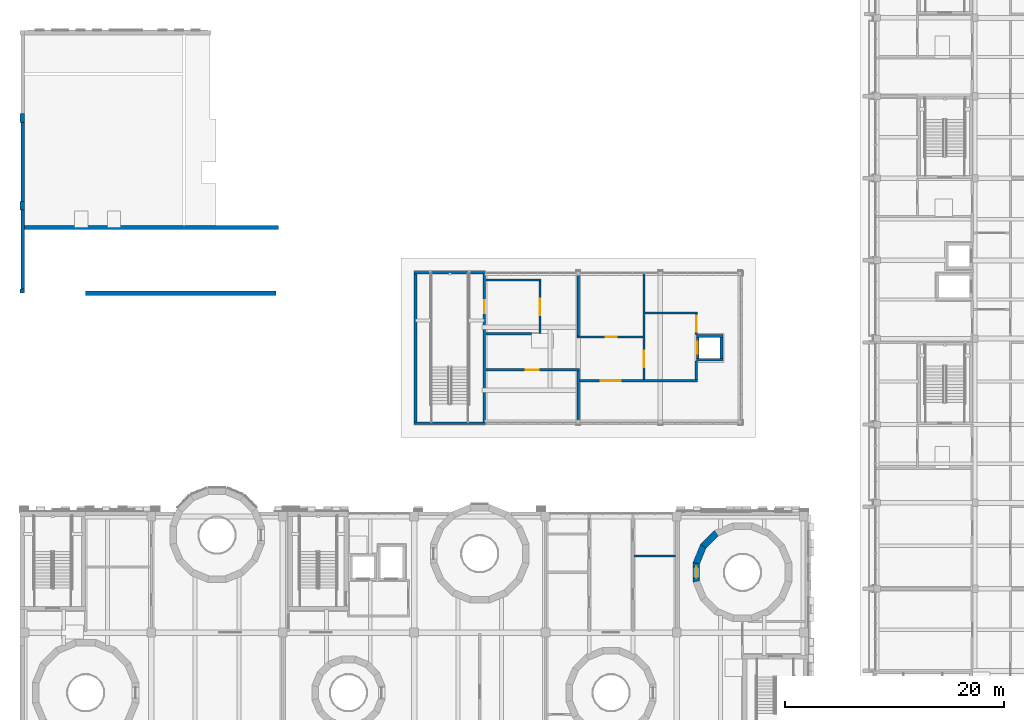
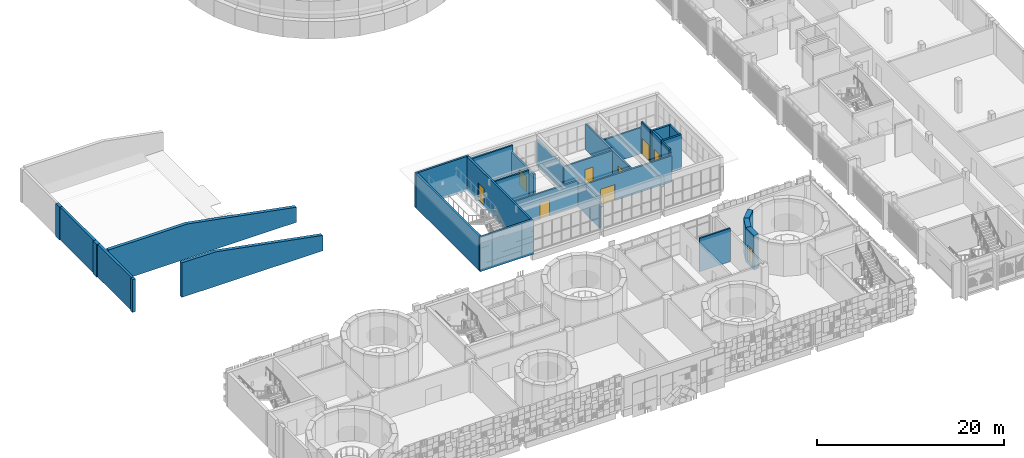
# One storey, part 49 of 92: 31 walls, 9 doors, 9 openings.
"""IFC4 building model written with IfcOpenShell, lengths in metres."""

from ifc_helpers import new_model, si_unit, direction, frame, frame_2d, origin, place, context, subcontext, project, spatial, polyline, rectangle, outline, extrude, material, layer, layer_set, type_object, element, fill, save


model = new_model("IFC4")

# Units and contexts
model_context = context("Model", 3, precision=1e-05, world=origin(), true_north=direction((0.0, 1.0)))
body_context = subcontext(model_context, "Body", "Model", "MODEL_VIEW")
ifc_project = project(units=[si_unit("LENGTHUNIT", "METRE"), si_unit("AREAUNIT", "SQUARE_METRE"), si_unit("VOLUMEUNIT", "CUBIC_METRE"), si_unit("PLANEANGLEUNIT", "RADIAN"), si_unit("MASSUNIT", "GRAM", prefix="KILO")], contexts=[model_context])

# Site, building, storey
site_placement = place(None, origin())
site = spatial("IfcSite", under=ifc_project, at=site_placement, CompositionType="ELEMENT")
building_placement = place(site_placement, origin())
building = spatial("IfcBuilding", under=site, at=building_placement, Name="Sun Court Science Centre", CompositionType="ELEMENT")
storey_placement = place(building_placement, frame((0.0, 0.0, 11.25)))
storey = spatial("IfcBuildingStorey", under=building, at=storey_placement, Name="L02", CompositionType="ELEMENT", Elevation=11.25)

# Wall, opening, door
ifc_material_1 = material(Name="Concrete block", Category="concrete")
ifc_layer_1 = layer(ifc_material_1, 0.199951171875)
ifc_layer_set_1 = layer_set([ifc_layer_1], Name="Concrete block")
wall_type_1 = type_object("IfcWallType", Name="Partition 200 block EI60", PredefinedType="PARTITIONING", material=ifc_layer_set_1)
wall_1_placement = place(storey_placement, frame((51.10009765625, 40.0, 0.0), z_axis=(0.0, 0.0, 1.0), x_axis=(1.0, 0.0, 0.0)))
wall_1 = element("IfcWall", 1, at=wall_1_placement, inside=storey, type_object=wall_type_1, Name="L02 partition 001", PredefinedType="PARTITIONING", context=body_context, shape_type="SweptSolid", body=[
    extrude(rectangle(XDim=10.789794921875, YDim=0.199951171875, at=frame_2d((5.39501953125, 0.0))), origin(), (0.0, 0.0, 1.0), 3.39990234375),
])
opening_1_placement = place(wall_1_placement, frame((1.97509765625, 0.0, 0.0)))
opening_1 = element("IfcOpeningElement", 2, at=opening_1_placement, cuts=wall_1, Name="Opening D-L02-063", PredefinedType="OPENING", context=body_context, shape_type="SweptSolid", body=[
    extrude(rectangle(XDim=1.800048828125, YDim=2.10009765625, at=frame_2d((0.89990234375, 1.050048828125))), frame((0.0, 0.10986328125, 0.0), z_axis=(0.0, -1.0, 0.0), x_axis=(1.0, 0.0, 0.0)), (0.0, 0.0, 1.0), 0.219970703125),
])
ifc_material_2 = material(Name="Timber", Category="wood")
door_type_1 = type_object("IfcDoorType", Name="Door 1800x2100 double leaf", OperationType="DOUBLE_DOOR_SINGLE_SWING", PredefinedType="DOOR", material=ifc_material_2)
door_1_placement = place(opening_1_placement, origin())
door_1 = element("IfcDoor", 3, at=door_1_placement, inside=storey, type_object=door_type_1, Name="Door D-L02-063", OperationType="DOUBLE_DOOR_SINGLE_SWING", OverallHeight=2.10009765625, OverallWidth=1.800048828125, PredefinedType="DOOR", context=body_context, shape_type="SweptSolid", body=[
    extrude(rectangle(XDim=1.800048828125, YDim=2.10009765625, at=frame_2d((0.89990234375, 1.050048828125))), frame((0.0, 0.02490234375, 0.0), z_axis=(0.0, -1.0, 0.0), x_axis=(1.0, 0.0, 0.0)), (0.0, 0.0, 1.0), 0.050048828125),
])
fill(opening_1, door_1)

wall_2_placement = place(storey_placement, frame((51.10009765625, 41.0, 0.0), z_axis=(0.0, 0.0, 1.0), x_axis=(-1.0, 0.0, 0.0)))
wall_2 = element("IfcWall", 4, at=wall_2_placement, inside=storey, type_object=wall_type_1, Name="L02 partition 002", PredefinedType="PARTITIONING", context=body_context, shape_type="SweptSolid", body=[
    extrude(rectangle(XDim=8.548095703125, YDim=0.199951171875, at=frame_2d((4.27392578125, 0.0))), origin(), (0.0, 0.0, 1.0), 3.39990234375),
])
opening_2_placement = place(wall_2_placement, frame((3.699951171875, 0.0, 0.0)))
opening_2 = element("IfcOpeningElement", 5, at=opening_2_placement, cuts=wall_2, Name="Opening D-L02-060", PredefinedType="OPENING", context=body_context, shape_type="SweptSolid", body=[
    extrude(rectangle(XDim=1.199951171875, YDim=2.10009765625, at=frame_2d((0.60009765625, 1.050048828125))), frame((0.0, 0.10986328125, 0.0), z_axis=(0.0, -1.0, 0.0), x_axis=(1.0, 0.0, 0.0)), (0.0, 0.0, 1.0), 0.219970703125),
])
ifc_material_3 = material(Name="Timber", Category="wood")
door_type_2 = type_object("IfcDoorType", Name="Door 1200x2100 single leaf", OperationType="NOTDEFINED", PredefinedType="DOOR", material=ifc_material_3)
door_2_placement = place(opening_2_placement, origin())
door_2 = element("IfcDoor", 6, at=door_2_placement, inside=storey, type_object=door_type_2, Name="Door D-L02-060", OperationType="SINGLE_SWING_LEFT", OverallHeight=2.10009765625, OverallWidth=1.199951171875, PredefinedType="DOOR", context=body_context, shape_type="SweptSolid", body=[
    extrude(rectangle(XDim=1.199951171875, YDim=2.10009765625, at=frame_2d((0.60009765625, 1.050048828125))), frame((0.0, 0.02490234375, 0.0), z_axis=(0.0, -1.0, 0.0), x_axis=(1.0, 0.0, 0.0)), (0.0, 0.0, 1.0), 0.050048828125),
])
fill(opening_2, door_2)

wall_3_placement = place(storey_placement, frame((50.89990234375, 44.0, 0.0), z_axis=(0.0, 0.0, 1.0), x_axis=(1.0, 0.0, 0.0)))
wall_3 = element("IfcWall", 7, at=wall_3_placement, inside=storey, type_object=wall_type_1, Name="L02 partition 003", PredefinedType="PARTITIONING", context=body_context, shape_type="SweptSolid", body=[
    extrude(rectangle(XDim=6.0, YDim=0.199951171875, at=frame_2d((3.0, 0.0))), origin(), (0.0, 0.0, 1.0), 3.39990234375),
])
opening_3_placement = place(wall_3_placement, frame((2.60009765625, 0.0, 0.0)))
opening_3 = element("IfcOpeningElement", 8, at=opening_3_placement, cuts=wall_3, Name="Opening D-L02-062", PredefinedType="OPENING", context=body_context, shape_type="SweptSolid", body=[
    extrude(rectangle(XDim=1.0, YDim=2.10009765625, at=frame_2d((0.5, 1.050048828125))), frame((0.0, 0.10986328125, 0.0), z_axis=(0.0, -1.0, 0.0), x_axis=(1.0, 0.0, 0.0)), (0.0, 0.0, 1.0), 0.219970703125),
])
ifc_material_4 = material(Name="Timber", Category="wood")
door_type_3 = type_object("IfcDoorType", Name="Door 1000x2100 single leaf", OperationType="NOTDEFINED", PredefinedType="DOOR", material=ifc_material_4)
door_3_placement = place(opening_3_placement, origin())
door_3 = element("IfcDoor", 9, at=door_3_placement, inside=storey, type_object=door_type_3, Name="Door D-L02-062", OperationType="SINGLE_SWING_LEFT", OverallHeight=2.10009765625, OverallWidth=1.0, PredefinedType="DOOR", context=body_context, shape_type="SweptSolid", body=[
    extrude(rectangle(XDim=1.0, YDim=2.10009765625, at=frame_2d((0.5, 1.050048828125))), frame((0.0, 0.02490234375, 0.0), z_axis=(0.0, -1.0, 0.0), x_axis=(1.0, 0.0, 0.0)), (0.0, 0.0, 1.0), 0.050048828125),
])
fill(opening_3, door_3)

# Walls
wall_4_placement = place(storey_placement, frame((42.552001953125, 44.300048828125, 0.0), z_axis=(0.0, 0.0, 1.0), x_axis=(1.0, 0.0, 0.0)))
element("IfcWall", 10, at=wall_4_placement, inside=storey, type_object=wall_type_1, Name="L02 partition 004", PredefinedType="PARTITIONING", context=body_context, shape_type="SweptSolid", body=[
    extrude(rectangle(XDim=4.197998046875, YDim=0.199951171875, at=frame_2d((2.09912109375, 0.0))), origin(), (0.0, 0.0, 1.0), 4.199951171875),
])
wall_5_placement = place(storey_placement, frame((57.10009765625, 46.199951171875, 0.0), z_axis=(0.0, 0.0, 1.0), x_axis=(1.0, 0.0, 0.0)))
element("IfcWall", 11, at=wall_5_placement, inside=storey, type_object=wall_type_1, Name="L02 partition 005", PredefinedType="PARTITIONING", context=body_context, shape_type="SweptSolid", body=[
    extrude(rectangle(XDim=4.789794921875, YDim=0.199951171875, at=frame_2d((2.39501953125, 0.0))), origin(), (0.0, 0.0, 1.0), 3.39990234375),
])
wall_6_placement = place(storey_placement, frame((42.552001953125, 49.199951171875, 0.0), z_axis=(0.0, 0.0, 1.0), x_axis=(1.0, 0.0, 0.0)))
element("IfcWall", 12, at=wall_6_placement, inside=storey, type_object=wall_type_1, Name="L02 partition 006", PredefinedType="PARTITIONING", context=body_context, shape_type="SweptSolid", body=[
    extrude(rectangle(XDim=5.048095703125, YDim=0.199951171875, at=frame_2d((2.52392578125, 0.0))), origin(), (0.0, 0.0, 1.0), 4.199951171875),
])
wall_7_placement = place(storey_placement, frame((61.7900390625, 40.10009765625, 0.0), z_axis=(0.0, 0.0, 1.0), x_axis=(0.0, 1.0, 0.0)))
element("IfcWall", 13, at=wall_7_placement, inside=storey, type_object=wall_type_1, Name="L02 partition 007", PredefinedType="PARTITIONING", context=body_context, shape_type="SweptSolid", body=[
    extrude(rectangle(XDim=1.685302734375, YDim=0.199951171875, at=frame_2d((0.8427734375, 0.0))), origin(), (0.0, 0.0, 1.0), 4.199951171875),
])

# Wall, opening, door
wall_8_placement = place(storey_placement, frame((61.7900390625, 44.214599609375, 0.0), z_axis=(0.0, 0.0, 1.0), x_axis=(0.0, 1.0, 0.0)))
wall_8 = element("IfcWall", 14, at=wall_8_placement, inside=storey, type_object=wall_type_1, Name="L02 partition 008", PredefinedType="PARTITIONING", context=body_context, shape_type="SweptSolid", body=[
    extrude(rectangle(XDim=1.885498046875, YDim=0.199951171875, at=frame_2d((0.94287109375, 0.0))), origin(), (0.0, 0.0, 1.0), 4.199951171875),
])
opening_4_placement = place(wall_8_placement, frame((0.242431640625, 0.0, 0.0)))
opening_4 = element("IfcOpeningElement", 15, at=opening_4_placement, cuts=wall_8, Name="Opening D-L02-064", PredefinedType="OPENING", context=body_context, shape_type="SweptSolid", body=[
    extrude(rectangle(XDim=1.5, YDim=2.10009765625, at=frame_2d((0.75, 1.050048828125))), frame((0.0, 0.10986328125, 0.0), z_axis=(0.0, -1.0, 0.0), x_axis=(1.0, 0.0, 0.0)), (0.0, 0.0, 1.0), 0.219970703125),
])
ifc_material_5 = material(Name="Timber", Category="wood")
door_type_4 = type_object("IfcDoorType", Name="Door 1500x2100 double leaf", OperationType="DOUBLE_DOOR_SINGLE_SWING", PredefinedType="DOOR", material=ifc_material_5)
door_4_placement = place(opening_4_placement, origin())
door_4 = element("IfcDoor", 16, at=door_4_placement, inside=storey, type_object=door_type_4, Name="Door D-L02-064", OperationType="DOUBLE_DOOR_SINGLE_SWING", OverallHeight=2.10009765625, OverallWidth=1.5, PredefinedType="DOOR", context=body_context, shape_type="SweptSolid", body=[
    extrude(rectangle(XDim=1.5, YDim=2.10009765625, at=frame_2d((0.75, 1.050048828125))), frame((0.0, 0.02490234375, 0.0), z_axis=(0.0, -1.0, 0.0), x_axis=(1.0, 0.0, 0.0)), (0.0, 0.0, 1.0), 0.050048828125),
])
fill(opening_4, door_4)

wall_9_placement = place(storey_placement, frame((57.0, 49.800048828125, 0.0), z_axis=(0.0, 0.0, 1.0), x_axis=(0.0, -1.0, 0.0)))
wall_9 = element("IfcWall", 17, at=wall_9_placement, inside=storey, type_object=wall_type_1, Name="L02 partition 009", PredefinedType="PARTITIONING", context=body_context, shape_type="SweptSolid", body=[
    extrude(rectangle(XDim=9.699951171875, YDim=0.199951171875, at=frame_2d((4.85009765625, 0.0))), origin(), (0.0, 0.0, 1.0), 3.39990234375),
])
opening_5_placement = place(wall_9_placement, frame((7.050048828125, 0.0, 0.0)))
opening_5 = element("IfcOpeningElement", 18, at=opening_5_placement, cuts=wall_9, Name="Opening D-L02-061", PredefinedType="OPENING", context=body_context, shape_type="SweptSolid", body=[
    extrude(rectangle(XDim=1.5, YDim=2.10009765625, at=frame_2d((0.75, 1.050048828125))), frame((0.0, 0.10986328125, 0.0), z_axis=(0.0, -1.0, 0.0), x_axis=(1.0, 0.0, 0.0)), (0.0, 0.0, 1.0), 0.219970703125),
])
door_5_placement = place(opening_5_placement, origin())
door_5 = element("IfcDoor", 19, at=door_5_placement, inside=storey, type_object=door_type_4, Name="Door D-L02-061", OperationType="DOUBLE_DOOR_SINGLE_SWING", OverallHeight=2.10009765625, OverallWidth=1.5, PredefinedType="DOOR", context=body_context, shape_type="SweptSolid", body=[
    extrude(rectangle(XDim=1.5, YDim=2.10009765625, at=frame_2d((0.75, 1.050048828125))), frame((0.0, 0.02490234375, 0.0), z_axis=(0.0, -1.0, 0.0), x_axis=(1.0, 0.0, 0.0)), (0.0, 0.0, 1.0), 0.050048828125),
])
fill(opening_5, door_5)

# Walls
wall_10_placement = place(storey_placement, frame((51.0, 36.199951171875, 0.0), z_axis=(0.0, 0.0, 1.0), x_axis=(0.0, 1.0, 0.0)))
element("IfcWall", 20, at=wall_10_placement, inside=storey, type_object=wall_type_1, Name="L02 partition 010", PredefinedType="PARTITIONING", context=body_context, shape_type="SweptSolid", body=[
    extrude(rectangle(XDim=4.699951171875, YDim=0.199951171875, at=frame_2d((2.35009765625, 0.0))), origin(), (0.0, 0.0, 1.0), 3.39990234375),
])
wall_11_placement = place(storey_placement, frame((51.0, 44.10009765625, 0.0), z_axis=(0.0, 0.0, 1.0), x_axis=(0.0, 1.0, 0.0)))
element("IfcWall", 21, at=wall_11_placement, inside=storey, type_object=wall_type_1, Name="L02 partition 011", PredefinedType="PARTITIONING", context=body_context, shape_type="SweptSolid", body=[
    extrude(rectangle(XDim=5.699951171875, YDim=0.199951171875, at=frame_2d((2.85009765625, 0.0))), origin(), (0.0, 0.0, 1.0), 3.39990234375),
])

# Wall, opening, door
wall_12_placement = place(storey_placement, frame((47.5, 49.10009765625, 0.0), z_axis=(0.0, 0.0, 1.0), x_axis=(0.0, -1.0, 0.0)))
wall_12 = element("IfcWall", 22, at=wall_12_placement, inside=storey, type_object=wall_type_1, Name="L02 partition 012", PredefinedType="PARTITIONING", context=body_context, shape_type="SweptSolid", body=[
    extrude(rectangle(XDim=4.800048828125, YDim=0.199951171875, at=frame_2d((2.39990234375, 0.0))), origin(), (0.0, 0.0, 1.0), 3.39990234375),
])
opening_6_placement = place(wall_12_placement, frame((1.60009765625, 0.0, 0.0)))
opening_6 = element("IfcOpeningElement", 23, at=opening_6_placement, cuts=wall_12, Name="Opening D-L02-058", PredefinedType="OPENING", context=body_context, shape_type="SweptSolid", body=[
    extrude(rectangle(XDim=1.5, YDim=2.10009765625, at=frame_2d((0.75, 1.050048828125))), frame((0.0, 0.10986328125, 0.0), z_axis=(0.0, -1.0, 0.0), x_axis=(1.0, 0.0, 0.0)), (0.0, 0.0, 1.0), 0.219970703125),
])
ifc_material_6 = material(Name="Steel", Category="steel")
door_type_5 = type_object("IfcDoorType", Name="Door 1500x2100 double leaf FD60", OperationType="DOUBLE_DOOR_SINGLE_SWING", PredefinedType="DOOR", material=ifc_material_6)
door_6_placement = place(opening_6_placement, origin())
door_6 = element("IfcDoor", 24, at=door_6_placement, inside=storey, type_object=door_type_5, Name="Door D-L02-058", OperationType="DOUBLE_DOOR_SINGLE_SWING", OverallHeight=2.10009765625, OverallWidth=1.5, PredefinedType="DOOR", context=body_context, shape_type="SweptSolid", body=[
    extrude(rectangle(XDim=1.5, YDim=2.10009765625, at=frame_2d((0.75, 1.050048828125))), frame((0.0, 0.02490234375, 0.0), z_axis=(0.0, -1.0, 0.0), x_axis=(1.0, 0.0, 0.0)), (0.0, 0.0, 1.0), 0.050048828125),
])
fill(opening_6, door_6)

# Walls
ifc_material_7 = material(Name="Gypsum board")
ifc_layer_2 = layer(ifc_material_7, 0.199951171875)
ifc_layer_set_2 = layer_set([ifc_layer_2], Name="Gypsum board")
wall_type_2 = type_object("IfcWallType", Name="Partition 200 stud EI30", PredefinedType="PARTITIONING", material=ifc_layer_set_2)
wall_13_placement = place(storey_placement, frame((56.10009765625, 24.0, 0.0), z_axis=(0.0, 0.0, 1.0), x_axis=(1.0, 0.0, 0.0)))
element("IfcWall", 25, at=wall_13_placement, inside=storey, type_object=wall_type_2, Name="L02 partition 008", PredefinedType="PARTITIONING", context=body_context, shape_type="SweptSolid", body=[
    extrude(rectangle(XDim=3.7998046875, YDim=0.199951171875, at=frame_2d((1.89990234375, 0.0))), origin(), (0.0, 0.0, 1.0), 4.35009765625),
])
ifc_material_8 = material(Name="Concrete C30/37", Category="concrete")
ifc_layer_3 = layer(ifc_material_8, 0.60009765625)
ifc_layer_set_3 = layer_set([ifc_layer_3], Name="Concrete C30/37")
wall_type_3 = type_object("IfcWallType", Name="RC cone ring wall 600", PredefinedType="SHEAR", material=ifc_layer_set_3)
wall_14_placement = place(storey_placement, frame((63.656494140625, 26.112548828125, -0.300048828125), z_axis=(0.0, 0.0, 1.0), x_axis=(-0.707106781187, -0.707106781187, 0.0)))
element("IfcWall", 26, at=wall_14_placement, inside=storey, type_object=wall_type_3, Name="Cone 6 ring wall L02 segment 6", PredefinedType="SHEAR", context=body_context, shape_type="SweptSolid", body=[
    extrude(outline(polyline([(0.0, -0.300048828125), (1.794677734375, -0.300048828125), (1.67529296875, 0.2998046875), (0.119384765625, 0.2998046875), (0.0, -0.300048828125)])), origin(), (0.0, 0.0, 1.0), 4.5),
])
wall_15_placement = place(storey_placement, frame((62.452392578125, 24.94091796875, -0.300048828125), z_axis=(0.0, 0.0, 1.0), x_axis=(-0.3826441282, -0.92389581185, 0.0)))
element("IfcWall", 27, at=wall_15_placement, inside=storey, type_object=wall_type_3, Name="Cone 6 ring wall L02 segment 7", PredefinedType="SHEAR", context=body_context, shape_type="SweptSolid", body=[
    extrude(outline(polyline([(0.0, -0.2998046875), (1.794921875, -0.300048828125), (1.675537109375, 0.300048828125), (0.119384765625, 0.300048828125), (0.0, -0.2998046875)])), origin(), (0.0, 0.0, 1.0), 4.5),
])

# Wall, opening, door
wall_16_placement = place(storey_placement, frame((61.788330078125, 23.3974609375, -0.300048828125), z_axis=(0.0, 0.0, 1.0), x_axis=(0.0, -1.0, 0.0)))
wall_16 = element("IfcWall", 28, at=wall_16_placement, inside=storey, type_object=wall_type_3, Name="Cone 6 ring wall L02 segment 8", PredefinedType="SHEAR", context=body_context, shape_type="SweptSolid", body=[
    extrude(outline(polyline([(0.0, -0.300048828125), (1.794921875, -0.300048828125), (1.675537109375, 0.300048828125), (0.119384765625, 0.300048828125), (0.0, -0.300048828125)])), origin(), (0.0, 0.0, 1.0), 4.5),
])
opening_7_placement = place(wall_16_placement, frame((0.3974609375, 0.0, 0.300048828125)))
opening_7 = element("IfcOpeningElement", 29, at=opening_7_placement, cuts=wall_16, Name="Opening D-L02-026", PredefinedType="OPENING", context=body_context, shape_type="SweptSolid", body=[
    extrude(rectangle(XDim=1.0, YDim=2.199951171875, at=frame_2d((0.5, 1.10009765625))), frame((0.0, 0.31005859375, 0.0), z_axis=(0.0, -1.0, 0.0), x_axis=(1.0, 0.0, 0.0)), (0.0, 0.0, 1.0), 0.6201171875),
])
ifc_material_9 = material(Name="Timber", Category="wood")
door_type_6 = type_object("IfcDoorType", Name="Door 1000x2200 single leaf", OperationType="NOTDEFINED", PredefinedType="DOOR", material=ifc_material_9)
door_7_placement = place(opening_7_placement, origin())
door_7 = element("IfcDoor", 30, at=door_7_placement, inside=storey, type_object=door_type_6, Name="Door D-L02-026", OperationType="SINGLE_SWING_LEFT", OverallHeight=2.199951171875, OverallWidth=1.0, PredefinedType="DOOR", context=body_context, shape_type="SweptSolid", body=[
    extrude(rectangle(XDim=1.0, YDim=2.199951171875, at=frame_2d((0.5, 1.10009765625))), frame((0.0, 0.02490234375, 0.0), z_axis=(0.0, -1.0, 0.0), x_axis=(1.0, 0.0, 0.0)), (0.0, 0.0, 1.0), 0.050048828125),
])
fill(opening_7, door_7)

# Walls
ifc_material_10 = material(Name="Concrete C30/37", Category="concrete")
ifc_layer_4 = layer(ifc_material_10, 0.300048828125)
ifc_layer_set_4 = layer_set([ifc_layer_4], Name="Concrete C30/37")
wall_type_4 = type_object("IfcWallType", Name="RC party wall panel exterior 300", PredefinedType="SOLIDWALL", material=ifc_layer_set_4)
for number, where, z_axis, x_axis, name in (
    (31, (0.25, 48.39990234375, -0.300048828125), (0.0, 0.0, 1.0), (0.0, 1.0, 0.0), "West party wall panel L02"),
    (32, (0.25, 56.39990234375, -0.300048828125), (0.0, 0.0, 1.0), (0.0, 1.0, 0.0), "West party wall panel L02"),
):
    element("IfcWall", number, at=place(storey_placement, frame(where, z_axis=z_axis, x_axis=x_axis)), inside=storey, type_object=wall_type_4, Name=name, PredefinedType="SOLIDWALL", context=body_context, shape_type="SweptSolid", body=[
        extrude(rectangle(XDim=7.2001953125, YDim=0.300048828125, at=frame_2d((3.60009765625, 0.0))), origin(), (0.0, 0.0, 1.0), 4.29248046875),
    ])
ifc_material_11 = material(Name="Concrete C30/37", Category="concrete")
ifc_layer_5 = layer(ifc_material_11, 0.25)
ifc_layer_set_5 = layer_set([ifc_layer_5], Name="Concrete C30/37")
wall_type_5 = type_object("IfcWallType", Name="RC shaft wall 250", PredefinedType="SHEAR", material=ifc_layer_set_5)
wall_17_placement = place(storey_placement, frame((61.78759765625, 41.91259765625, -0.300048828125), z_axis=(0.0, 0.0, 1.0), x_axis=(1.0, 0.0, 0.0)))
element("IfcWall", 33, at=wall_17_placement, inside=storey, type_object=wall_type_5, Name="Lift core LP1 wall S, L02", PredefinedType="SHEAR", context=body_context, shape_type="SweptSolid", body=[
    extrude(rectangle(XDim=2.4248046875, YDim=0.25, at=frame_2d((1.21240234375, 0.0))), origin(), (0.0, 0.0, 1.0), 4.5),
])
wall_18_placement = place(storey_placement, frame((64.08740234375, 42.03759765625, -0.300048828125), z_axis=(0.0, 0.0, 1.0), x_axis=(0.0, 1.0, 0.0)))
element("IfcWall", 34, at=wall_18_placement, inside=storey, type_object=wall_type_5, Name="Lift core LP1 wall E, L02", PredefinedType="SHEAR", context=body_context, shape_type="SweptSolid", body=[
    extrude(rectangle(XDim=1.9248046875, YDim=0.25, at=frame_2d((0.96240234375, 0.0))), origin(), (0.0, 0.0, 1.0), 4.5),
])
wall_19_placement = place(storey_placement, frame((61.78759765625, 44.08740234375, -0.300048828125), z_axis=(0.0, 0.0, 1.0), x_axis=(1.0, 0.0, 0.0)))
element("IfcWall", 35, at=wall_19_placement, inside=storey, type_object=wall_type_5, Name="Lift core LP1 wall N, L02", PredefinedType="SHEAR", context=body_context, shape_type="SweptSolid", body=[
    extrude(rectangle(XDim=2.4248046875, YDim=0.25, at=frame_2d((1.21240234375, 0.0))), origin(), (0.0, 0.0, 1.0), 4.5),
])

# Wall, opening, door
wall_20_placement = place(storey_placement, frame((61.91259765625, 42.03759765625, -0.300048828125), z_axis=(0.0, 0.0, 1.0), x_axis=(0.0, 1.0, 0.0)))
wall_20 = element("IfcWall", 36, at=wall_20_placement, inside=storey, type_object=wall_type_5, Name="Lift core LP1 wall W, L02", PredefinedType="SHEAR", context=body_context, shape_type="SweptSolid", body=[
    extrude(rectangle(XDim=1.9248046875, YDim=0.25, at=frame_2d((0.96240234375, 0.0))), origin(), (0.0, 0.0, 1.0), 4.5),
])
opening_8_placement = place(wall_20_placement, frame((0.41259765625, 0.0, 0.300048828125)))
opening_8 = element("IfcOpeningElement", 37, at=opening_8_placement, cuts=wall_20, Name="Opening D-L02-059", PredefinedType="OPENING", context=body_context, shape_type="SweptSolid", body=[
    extrude(rectangle(XDim=1.10009765625, YDim=2.10009765625, at=frame_2d((0.550048828125, 1.050048828125))), frame((0.0, 0.135009765625, 0.0), z_axis=(0.0, -1.0, 0.0), x_axis=(1.0, 0.0, 0.0)), (0.0, 0.0, 1.0), 0.27001953125),
])
ifc_material_12 = material(Name="Steel", Category="steel")
door_type_7 = type_object("IfcDoorType", Name="Lift landing door 1100x2100 sliding", OperationType="DOUBLE_DOOR_SLIDING", PredefinedType="DOOR", material=ifc_material_12)
door_8_placement = place(opening_8_placement, origin())
door_8 = element("IfcDoor", 38, at=door_8_placement, inside=storey, type_object=door_type_7, Name="Lift landing door D-L02-059", OperationType="DOUBLE_DOOR_SLIDING", OverallHeight=2.10009765625, OverallWidth=1.10009765625, PredefinedType="DOOR", context=body_context, shape_type="SweptSolid", body=[
    extrude(rectangle(XDim=1.10009765625, YDim=2.10009765625, at=frame_2d((0.550048828125, 1.050048828125))), frame((0.0, 0.02490234375, 0.0), z_axis=(0.0, -1.0, 0.0), x_axis=(1.0, 0.0, 0.0)), (0.0, 0.0, 1.0), 0.050048828125),
])
fill(opening_8, door_8)

# Wall
ifc_material_13 = material(Name="Concrete C30/37", Category="concrete")
ifc_layer_6 = layer(ifc_material_13, 0.25)
ifc_layer_set_6 = layer_set([ifc_layer_6], Name="Concrete C30/37")
wall_type_6 = type_object("IfcWallType", Name="RC stair core wall 250", PredefinedType="SHEAR", material=ifc_layer_set_6)
wall_21_placement = place(storey_placement, frame((36.0, 36.125, -0.300048828125), z_axis=(0.0, 0.0, 1.0), x_axis=(1.0, 0.0, 0.0)))
element("IfcWall", 39, at=wall_21_placement, inside=storey, type_object=wall_type_6, Name="Stair core SP1 wall S, L02", PredefinedType="SHEAR", context=body_context, shape_type="SweptSolid", body=[
    extrude(rectangle(XDim=6.550048828125, YDim=0.25, at=frame_2d((3.27490234375, 0.0))), origin(), (0.0, 0.0, 1.0), 4.5),
])

# Wall, opening, door
wall_22_placement = place(storey_placement, frame((42.425048828125, 36.25, -0.300048828125), z_axis=(0.0, 0.0, 1.0), x_axis=(0.0, 1.0, 0.0)))
wall_22 = element("IfcWall", 40, at=wall_22_placement, inside=storey, type_object=wall_type_6, Name="Stair core SP1 wall E, L02", PredefinedType="SHEAR", context=body_context, shape_type="SweptSolid", body=[
    extrude(rectangle(XDim=13.5, YDim=0.25, at=frame_2d((6.75, 0.0))), origin(), (0.0, 0.0, 1.0), 4.5),
])
opening_9_placement = place(wall_22_placement, frame((9.89990234375, 0.0, 0.300048828125)))
opening_9 = element("IfcOpeningElement", 41, at=opening_9_placement, cuts=wall_22, Name="Opening D-L02-057", PredefinedType="OPENING", context=body_context, shape_type="SweptSolid", body=[
    extrude(rectangle(XDim=1.199951171875, YDim=2.199951171875, at=frame_2d((0.60009765625, 1.10009765625))), frame((0.0, 0.135009765625, 0.0), z_axis=(0.0, -1.0, 0.0), x_axis=(1.0, 0.0, 0.0)), (0.0, 0.0, 1.0), 0.27001953125),
])
ifc_material_14 = material(Name="Steel", Category="steel")
door_type_8 = type_object("IfcDoorType", Name="Door 1200x2200 single leaf FD60", OperationType="NOTDEFINED", PredefinedType="DOOR", material=ifc_material_14)
door_9_placement = place(opening_9_placement, origin())
door_9 = element("IfcDoor", 42, at=door_9_placement, inside=storey, type_object=door_type_8, Name="Door D-L02-057", OperationType="SINGLE_SWING_LEFT", OverallHeight=2.199951171875, OverallWidth=1.199951171875, PredefinedType="DOOR", context=body_context, shape_type="SweptSolid", body=[
    extrude(rectangle(XDim=1.199951171875, YDim=2.199951171875, at=frame_2d((0.60009765625, 1.10009765625))), frame((0.0, 0.02490234375, 0.0), z_axis=(0.0, -1.0, 0.0), x_axis=(1.0, 0.0, 0.0)), (0.0, 0.0, 1.0), 0.050048828125),
])
fill(opening_9, door_9)

# Walls
wall_23_placement = place(storey_placement, frame((36.0, 49.875, -0.300048828125), z_axis=(0.0, 0.0, 1.0), x_axis=(1.0, 0.0, 0.0)))
element("IfcWall", 43, at=wall_23_placement, inside=storey, type_object=wall_type_6, Name="Stair core SP1 wall N, L02", PredefinedType="SHEAR", context=body_context, shape_type="SweptSolid", body=[
    extrude(rectangle(XDim=6.550048828125, YDim=0.25, at=frame_2d((3.27490234375, 0.0))), origin(), (0.0, 0.0, 1.0), 4.5),
])
wall_24_placement = place(storey_placement, frame((36.125, 36.25, -0.300048828125), z_axis=(0.0, 0.0, 1.0), x_axis=(0.0, 1.0, 0.0)))
element("IfcWall", 44, at=wall_24_placement, inside=storey, type_object=wall_type_6, Name="Stair core SP1 wall W, L02", PredefinedType="SHEAR", context=body_context, shape_type="SweptSolid", body=[
    extrude(rectangle(XDim=13.5, YDim=0.25, at=frame_2d((6.75, 0.0))), origin(), (0.0, 0.0, 1.0), 4.5),
])
ifc_material_15 = material(Name="Concrete C30/37", Category="concrete")
ifc_layer_7 = layer(ifc_material_15, 0.39990234375)
ifc_layer_set_7 = layer_set([ifc_layer_7], Name="Concrete C30/37")
wall_type_7 = type_object("IfcWallType", Name="RC theatre wall exterior 400", PredefinedType="SOLIDWALL", material=ifc_layer_set_7)
wall_25_placement = place(storey_placement, frame((0.199951171875, 48.0, -0.300048828125), z_axis=(0.0, 0.0, 1.0), x_axis=(0.0, 1.0, 0.0)))
element("IfcWall", 45, at=wall_25_placement, inside=storey, type_object=wall_type_7, Name="West party wall L02", PredefinedType="SOLIDWALL", context=body_context, shape_type="SweptSolid", body=[
    extrude(rectangle(XDim=0.39990234375, YDim=0.39990234375, at=frame_2d((0.199951171875, 0.0))), origin(), (0.0, 0.0, 1.0), 4.29248046875),
])
for number, where, z_axis, x_axis, name in (
    (46, (0.199951171875, 55.60009765625, -0.300048828125), (0.0, 0.0, 1.0), (0.0, 1.0, 0.0), "West party wall L02"),
    (47, (0.199951171875, 63.60009765625, -0.300048828125), (0.0, 0.0, 1.0), (0.0, 1.0, 0.0), "West party wall L02"),
):
    element("IfcWall", number, at=place(storey_placement, frame(where, z_axis=z_axis, x_axis=x_axis)), inside=storey, type_object=wall_type_7, Name=name, PredefinedType="SOLIDWALL", context=body_context, shape_type="SweptSolid", body=[
        extrude(rectangle(XDim=0.7998046875, YDim=0.39990234375, at=frame_2d((0.39990234375, 0.0))), origin(), (0.0, 0.0, 1.0), 4.29248046875),
    ])
wall_26_placement = place(storey_placement, frame((6.0, 48.0, -0.300048828125), z_axis=(0.0, 0.0, 1.0), x_axis=(1.0, 0.0, 0.0)))
element("IfcWall", 48, at=wall_26_placement, inside=storey, type_object=wall_type_7, Name="Foyer back wall L02", PredefinedType="SOLIDWALL", context=body_context, shape_type="SweptSolid", body=[
    extrude(outline(polyline([(0.0, 0.0), (17.39990234375, 0.0), (17.39990234375, 2.012451171875), (4.13330078125, 4.5), (0.0, 4.5), (0.0, 0.0)])), frame((0.0, 0.199951171875, 0.0), z_axis=(0.0, -1.0, 0.0), x_axis=(1.0, 0.0, 0.0)), (0.0, 0.0, 1.0), 0.39990234375),
])
wall_27_placement = place(storey_placement, frame((0.39990234375, 54.0, -0.300048828125), z_axis=(0.0, 0.0, 1.0), x_axis=(1.0, 0.0, 0.0)))
element("IfcWall", 49, at=wall_27_placement, inside=storey, type_object=wall_type_7, Name="Auditorium front wall L02", PredefinedType="SOLIDWALL", context=body_context, shape_type="SweptSolid", body=[
    extrude(outline(polyline([(0.0, 0.0), (23.2001953125, 0.0), (23.199951171875, 1.97509765625), (9.7333984375, 4.5), (0.0, 4.5), (0.0, 0.0)])), frame((0.0, 0.199951171875, 0.0), z_axis=(0.0, -1.0, 0.0), x_axis=(1.0, 0.0, 0.0)), (0.0, 0.0, 1.0), 0.39990234375),
])

save(model, "model.ifc")
